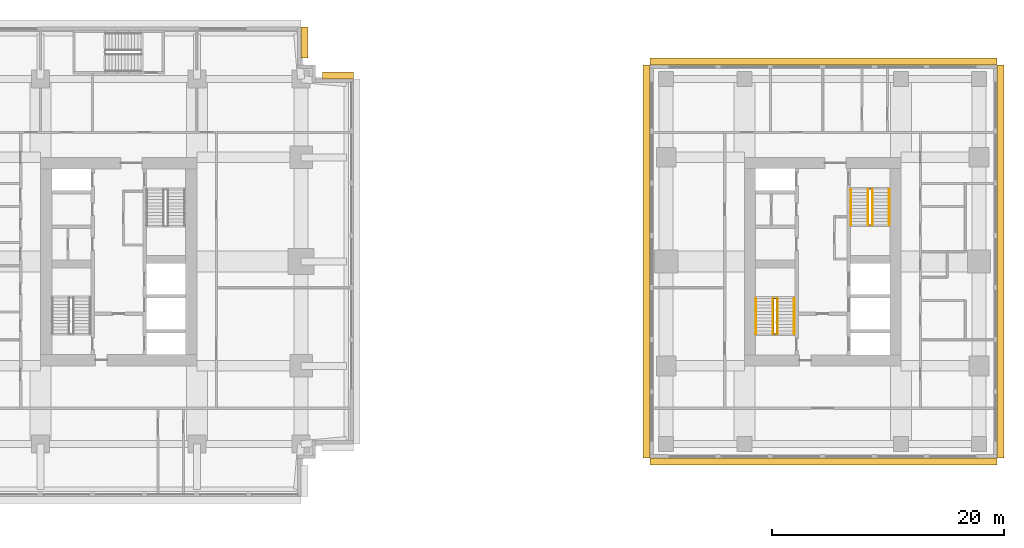
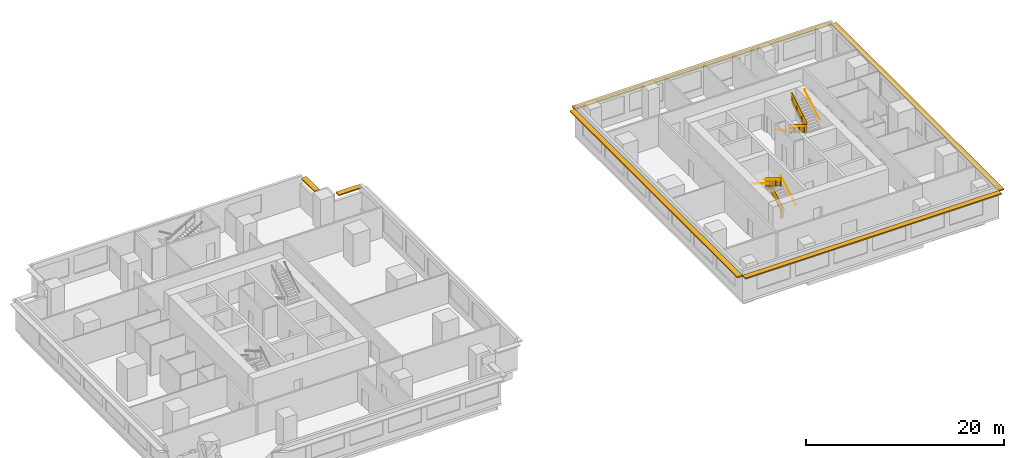
# One storey, part 11 of 11: 10 railings, 6 shading devices.
"""IFC4 building model written with IfcOpenShell, lengths in metres."""

from ifc_helpers import new_model, si_unit, direction, frame, origin, origin_2d, place, context, subcontext, project, spatial, polyline, rectangle, circle, outline, extrude, material, layer, layer_set, type_object, element, save


model = new_model("IFC4")

# Units and contexts
model_context = context("Model", 3, precision=1e-05, world=origin(), true_north=direction((0.0, 1.0)))
body_context = subcontext(model_context, "Body", "Model", "MODEL_VIEW")
ifc_project = project(units=[si_unit("LENGTHUNIT", "METRE"), si_unit("AREAUNIT", "SQUARE_METRE"), si_unit("VOLUMEUNIT", "CUBIC_METRE"), si_unit("PLANEANGLEUNIT", "RADIAN"), si_unit("MASSUNIT", "GRAM", prefix="KILO")], contexts=[model_context])

# Site, building, storey
site_placement = place(None, origin())
site = spatial("IfcSite", under=ifc_project, at=site_placement, CompositionType="ELEMENT")
building_placement = place(site_placement, origin())
building = spatial("IfcBuilding", under=site, at=building_placement, Name="Namib Vertical Campus", CompositionType="ELEMENT")
storey_placement = place(building_placement, frame((0.0, 0.0, 209.0)))
storey = spatial("IfcBuildingStorey", under=building, at=storey_placement, Name="L49", CompositionType="ELEMENT", Elevation=209.0)

# Railings
ifc_material_1 = material(Name="Steel handrail", Category="steel")
railing_type_1 = type_object("IfcRailingType", Name="Handrail 900", PredefinedType="HANDRAIL", material=ifc_material_1)
railing_1_placement = place(storey_placement, frame((78.550048828125, 14.0, 0.166748046875)))
element("IfcRailing", 1, at=railing_1_placement, inside=storey, type_object=railing_type_1, Name="Handrail HR1 B-S1 L49 1", PredefinedType="HANDRAIL", context=body_context, shape_type="SweptSolid", body=[
    extrude(circle(Radius=0.02392578125, at=origin_2d()), frame((0.0, 0.0, 0.8759765625), z_axis=(0.0, 0.859308565015, 0.511457515432), x_axis=(-1.0, 0.0, 0.0)), (0.0, 0.0, 1.0), 3.58447265625),
    extrude(circle(Radius=0.008056640625, at=origin_2d()), frame((0.0, 0.0, 0.8759765625), z_axis=(1.0, 0.0, 0.0), x_axis=(0.0, 0.0, 1.0)), (0.0, 0.0, 1.0), 0.050048828125),
    extrude(circle(Radius=0.008056640625, at=origin_2d()), frame((0.0, 1.026611328125, 1.48681640625), z_axis=(1.0, 0.0, 0.0), x_axis=(0.0, 0.0, 1.0)), (0.0, 0.0, 1.0), 0.050048828125),
    extrude(circle(Radius=0.008056640625, at=origin_2d()), frame((0.0, 2.053466796875, 2.09814453125), z_axis=(1.0, 0.0, 0.0), x_axis=(0.0, 0.0, 1.0)), (0.0, 0.0, 1.0), 0.050048828125),
    extrude(circle(Radius=0.008056640625, at=origin_2d()), frame((0.0, 3.080078125, 2.708984375), z_axis=(1.0, 0.0, 0.0), x_axis=(0.0, 0.0, 1.0)), (0.0, 0.0, 1.0), 0.050048828125),
])
railing_2_placement = place(storey_placement, frame((75.25, 17.080078125, 2.166748046875)))
element("IfcRailing", 2, at=railing_2_placement, inside=storey, type_object=railing_type_1, Name="Handrail HR1 B-S1 L49 2", PredefinedType="HANDRAIL", context=body_context, shape_type="SweptSolid", body=[
    extrude(circle(Radius=0.02392578125, at=origin_2d()), frame((0.0, 0.0, 0.8759765625), z_axis=(0.0, -0.859308565015, 0.511457515432), x_axis=(1.0, 0.0, 0.0)), (0.0, 0.0, 1.0), 3.58447265625),
    extrude(circle(Radius=0.008056640625, at=origin_2d()), frame((0.0, 0.0, 0.8759765625), z_axis=(-1.0, 0.0, 0.0), x_axis=(0.0, 0.0, 1.0)), (0.0, 0.0, 1.0), 0.050048828125),
    extrude(circle(Radius=0.008056640625, at=origin_2d()), frame((0.0, -1.026611328125, 1.48681640625), z_axis=(-1.0, 0.0, 0.0), x_axis=(0.0, 0.0, 1.0)), (0.0, 0.0, 1.0), 0.050048828125),
    extrude(circle(Radius=0.008056640625, at=origin_2d()), frame((0.0, -2.053466796875, 2.09814453125), z_axis=(-1.0, 0.0, 0.0), x_axis=(0.0, 0.0, 1.0)), (0.0, 0.0, 1.0), 0.050048828125),
    extrude(circle(Radius=0.008056640625, at=origin_2d()), frame((0.0, -3.080078125, 2.708984375), z_axis=(-1.0, 0.0, 0.0), x_axis=(0.0, 0.0, 1.0)), (0.0, 0.0, 1.0), 0.050048828125),
])
railing_3_placement = place(storey_placement, frame((77.10009765625, 14.0, 0.166748046875)))
element("IfcRailing", 3, at=railing_3_placement, inside=storey, type_object=railing_type_1, Name="Handrail HR1 B-S1 L49 1 at the well", PredefinedType="HANDRAIL", context=body_context, shape_type="SweptSolid", body=[
    extrude(circle(Radius=0.02392578125, at=origin_2d()), frame((0.0, 0.0, 0.8759765625), z_axis=(0.0, 0.859308565015, 0.511457515432), x_axis=(-1.0, 0.0, 0.0)), (0.0, 0.0, 1.0), 3.58447265625),
    extrude(circle(Radius=0.008056640625, at=origin_2d()), frame((0.0, 0.0, 0.8759765625), z_axis=(-1.0, 0.0, 0.0), x_axis=(0.0, 0.0, 1.0)), (0.0, 0.0, 1.0), 0.0400390625),
    extrude(circle(Radius=0.008056640625, at=origin_2d()), frame((0.0, 1.026611328125, 1.48681640625), z_axis=(-1.0, 0.0, 0.0), x_axis=(0.0, 0.0, 1.0)), (0.0, 0.0, 1.0), 0.0400390625),
    extrude(circle(Radius=0.008056640625, at=origin_2d()), frame((0.0, 2.053466796875, 2.09814453125), z_axis=(-1.0, 0.0, 0.0), x_axis=(0.0, 0.0, 1.0)), (0.0, 0.0, 1.0), 0.0400390625),
    extrude(circle(Radius=0.008056640625, at=origin_2d()), frame((0.0, 3.080078125, 2.708984375), z_axis=(-1.0, 0.0, 0.0), x_axis=(0.0, 0.0, 1.0)), (0.0, 0.0, 1.0), 0.0400390625),
])
railing_4_placement = place(storey_placement, frame((76.699951171875, 17.080078125, 2.166748046875)))
element("IfcRailing", 4, at=railing_4_placement, inside=storey, type_object=railing_type_1, Name="Handrail HR1 B-S1 L49 2 at the well", PredefinedType="HANDRAIL", context=body_context, shape_type="SweptSolid", body=[
    extrude(circle(Radius=0.02392578125, at=origin_2d()), frame((0.0, 0.0, 0.8759765625), z_axis=(0.0, -0.859308565015, 0.511457515432), x_axis=(1.0, 0.0, 0.0)), (0.0, 0.0, 1.0), 3.58447265625),
    extrude(circle(Radius=0.008056640625, at=origin_2d()), frame((0.0, 0.0, 0.8759765625), z_axis=(1.0, 0.0, 0.0), x_axis=(0.0, 0.0, 1.0)), (0.0, 0.0, 1.0), 0.0400390625),
    extrude(circle(Radius=0.008056640625, at=origin_2d()), frame((0.0, -1.026611328125, 1.48681640625), z_axis=(1.0, 0.0, 0.0), x_axis=(0.0, 0.0, 1.0)), (0.0, 0.0, 1.0), 0.0400390625),
    extrude(circle(Radius=0.008056640625, at=origin_2d()), frame((0.0, -2.053466796875, 2.09814453125), z_axis=(1.0, 0.0, 0.0), x_axis=(0.0, 0.0, 1.0)), (0.0, 0.0, 1.0), 0.0400390625),
    extrude(circle(Radius=0.008056640625, at=origin_2d()), frame((0.0, -3.080078125, 2.708984375), z_axis=(1.0, 0.0, 0.0), x_axis=(0.0, 0.0, 1.0)), (0.0, 0.0, 1.0), 0.0400390625),
])
railing_5_placement = place(storey_placement, frame((83.449951171875, 26.5, 0.166748046875)))
element("IfcRailing", 5, at=railing_5_placement, inside=storey, type_object=railing_type_1, Name="Handrail HR1 B-S2 L49 1", PredefinedType="HANDRAIL", context=body_context, shape_type="SweptSolid", body=[
    extrude(circle(Radius=0.02392578125, at=origin_2d()), frame((0.0, 0.0, 0.8759765625), z_axis=(0.0, -0.859308565015, 0.511457515432), x_axis=(1.0, 0.0, 0.0)), (0.0, 0.0, 1.0), 3.58447265625),
    extrude(circle(Radius=0.008056640625, at=origin_2d()), frame((0.0, 0.0, 0.8759765625), z_axis=(-1.0, 0.0, 0.0), x_axis=(0.0, 0.0, 1.0)), (0.0, 0.0, 1.0), 0.050048828125),
    extrude(circle(Radius=0.008056640625, at=origin_2d()), frame((0.0, -1.026611328125, 1.48681640625), z_axis=(-1.0, 0.0, 0.0), x_axis=(0.0, 0.0, 1.0)), (0.0, 0.0, 1.0), 0.050048828125),
    extrude(circle(Radius=0.008056640625, at=origin_2d()), frame((0.0, -2.053466796875, 2.09814453125), z_axis=(-1.0, 0.0, 0.0), x_axis=(0.0, 0.0, 1.0)), (0.0, 0.0, 1.0), 0.050048828125),
    extrude(circle(Radius=0.008056640625, at=origin_2d()), frame((0.0, -3.080078125, 2.708984375), z_axis=(-1.0, 0.0, 0.0), x_axis=(0.0, 0.0, 1.0)), (0.0, 0.0, 1.0), 0.050048828125),
])
railing_6_placement = place(storey_placement, frame((86.75, 23.419921875, 2.166748046875)))
element("IfcRailing", 6, at=railing_6_placement, inside=storey, type_object=railing_type_1, Name="Handrail HR1 B-S2 L49 2", PredefinedType="HANDRAIL", context=body_context, shape_type="SweptSolid", body=[
    extrude(circle(Radius=0.02392578125, at=origin_2d()), frame((0.0, 0.0, 0.8759765625), z_axis=(0.0, 0.859308565015, 0.511457515432), x_axis=(-1.0, 0.0, 0.0)), (0.0, 0.0, 1.0), 3.58447265625),
    extrude(circle(Radius=0.008056640625, at=origin_2d()), frame((0.0, 0.0, 0.8759765625), z_axis=(1.0, 0.0, 0.0), x_axis=(0.0, 0.0, 1.0)), (0.0, 0.0, 1.0), 0.050048828125),
    extrude(circle(Radius=0.008056640625, at=origin_2d()), frame((0.0, 1.026611328125, 1.48681640625), z_axis=(1.0, 0.0, 0.0), x_axis=(0.0, 0.0, 1.0)), (0.0, 0.0, 1.0), 0.050048828125),
    extrude(circle(Radius=0.008056640625, at=origin_2d()), frame((0.0, 2.053466796875, 2.09814453125), z_axis=(1.0, 0.0, 0.0), x_axis=(0.0, 0.0, 1.0)), (0.0, 0.0, 1.0), 0.050048828125),
    extrude(circle(Radius=0.008056640625, at=origin_2d()), frame((0.0, 3.080078125, 2.708984375), z_axis=(1.0, 0.0, 0.0), x_axis=(0.0, 0.0, 1.0)), (0.0, 0.0, 1.0), 0.050048828125),
])
railing_7_placement = place(storey_placement, frame((84.89990234375, 26.5, 0.166748046875)))
element("IfcRailing", 7, at=railing_7_placement, inside=storey, type_object=railing_type_1, Name="Handrail HR1 B-S2 L49 1 at the well", PredefinedType="HANDRAIL", context=body_context, shape_type="SweptSolid", body=[
    extrude(circle(Radius=0.02392578125, at=origin_2d()), frame((0.0, 0.0, 0.8759765625), z_axis=(0.0, -0.859308565015, 0.511457515432), x_axis=(1.0, 0.0, 0.0)), (0.0, 0.0, 1.0), 3.58447265625),
    extrude(circle(Radius=0.008056640625, at=origin_2d()), frame((0.0, 0.0, 0.8759765625), z_axis=(1.0, 0.0, 0.0), x_axis=(0.0, 0.0, 1.0)), (0.0, 0.0, 1.0), 0.0400390625),
    extrude(circle(Radius=0.008056640625, at=origin_2d()), frame((0.0, -1.026611328125, 1.48681640625), z_axis=(1.0, 0.0, 0.0), x_axis=(0.0, 0.0, 1.0)), (0.0, 0.0, 1.0), 0.0400390625),
    extrude(circle(Radius=0.008056640625, at=origin_2d()), frame((0.0, -2.053466796875, 2.09814453125), z_axis=(1.0, 0.0, 0.0), x_axis=(0.0, 0.0, 1.0)), (0.0, 0.0, 1.0), 0.0400390625),
    extrude(circle(Radius=0.008056640625, at=origin_2d()), frame((0.0, -3.080078125, 2.708984375), z_axis=(1.0, 0.0, 0.0), x_axis=(0.0, 0.0, 1.0)), (0.0, 0.0, 1.0), 0.0400390625),
])
railing_8_placement = place(storey_placement, frame((85.300048828125, 23.419921875, 2.166748046875)))
element("IfcRailing", 8, at=railing_8_placement, inside=storey, type_object=railing_type_1, Name="Handrail HR1 B-S2 L49 2 at the well", PredefinedType="HANDRAIL", context=body_context, shape_type="SweptSolid", body=[
    extrude(circle(Radius=0.02392578125, at=origin_2d()), frame((0.0, 0.0, 0.8759765625), z_axis=(0.0, 0.859308565015, 0.511457515432), x_axis=(-1.0, 0.0, 0.0)), (0.0, 0.0, 1.0), 3.58447265625),
    extrude(circle(Radius=0.008056640625, at=origin_2d()), frame((0.0, 0.0, 0.8759765625), z_axis=(-1.0, 0.0, 0.0), x_axis=(0.0, 0.0, 1.0)), (0.0, 0.0, 1.0), 0.0400390625),
    extrude(circle(Radius=0.008056640625, at=origin_2d()), frame((0.0, 1.026611328125, 1.48681640625), z_axis=(-1.0, 0.0, 0.0), x_axis=(0.0, 0.0, 1.0)), (0.0, 0.0, 1.0), 0.0400390625),
    extrude(circle(Radius=0.008056640625, at=origin_2d()), frame((0.0, 2.053466796875, 2.09814453125), z_axis=(-1.0, 0.0, 0.0), x_axis=(0.0, 0.0, 1.0)), (0.0, 0.0, 1.0), 0.0400390625),
    extrude(circle(Radius=0.008056640625, at=origin_2d()), frame((0.0, 3.080078125, 2.708984375), z_axis=(-1.0, 0.0, 0.0), x_axis=(0.0, 0.0, 1.0)), (0.0, 0.0, 1.0), 0.0400390625),
])
ifc_material_2 = material(Name="Steel balustrade", Category="steel")
railing_type_2 = type_object("IfcRailingType", Name="Stair guard 1100", PredefinedType="GUARDRAIL", material=ifc_material_2)
railing_9_placement = place(storey_placement, frame((76.75, 14.0, 0.0)))
element("IfcRailing", 9, at=railing_9_placement, inside=storey, type_object=railing_type_2, Name="Stair guard GR1 B-S1 L49", PredefinedType="GUARDRAIL", context=body_context, shape_type="SweptSolid", body=[
    extrude(circle(Radius=0.02392578125, at=origin_2d()), frame((0.0, 0.0, 1.076171875), z_axis=(1.0, 0.0, 0.0), x_axis=(0.0, 1.0, 0.0)), (0.0, 0.0, 1.0), 0.300048828125),
    extrude(outline(polyline([(0.02099609375, 0.050048828125), (0.279052734375, 0.050048828125), (0.279052734375, 1.052001953125), (0.02099609375, 1.052001953125), (0.02099609375, 0.050048828125)])), frame((0.0, 0.010009765625, 0.0), z_axis=(0.0, -1.0, 0.0), x_axis=(1.0, 0.0, 0.0)), (0.0, 0.0, 1.0), 0.02001953125),
    extrude(circle(Radius=0.02392578125, at=origin_2d()), frame((0.300048828125, 0.0, 1.076171875), z_axis=(0.0, 0.0, 1.0), x_axis=(1.0, 0.0, 0.0)), (0.0, 0.0, 1.0), 0.166748046875),
    extrude(circle(Radius=0.02392578125, at=origin_2d()), frame((0.300048828125, 0.0, 1.24267578125), z_axis=(0.0, 0.859308565015, 0.511457515432), x_axis=(-1.0, 0.0, 0.0)), (0.0, 0.0, 1.0), 3.58447265625),
    extrude(outline(polyline([(0.02099609375, 0.0625), (3.05908203125, 1.870849609375), (3.05908203125, 2.872802734375), (0.02099609375, 1.064453125), (0.02099609375, 0.0625)])), frame((0.2900390625, 0.0, 0.166748046875), z_axis=(1.0, 0.0, 0.0), x_axis=(0.0, 1.0, 0.0)), (0.0, 0.0, 1.0), 0.02001953125),
    extrude(circle(Radius=0.02392578125, at=origin_2d()), frame((0.300048828125, 3.080078125, 3.076171875), z_axis=(-1.0, 0.0, 0.0), x_axis=(0.0, -1.0, 0.0)), (0.0, 0.0, 1.0), 0.300048828125),
    extrude(outline(polyline([(0.02099609375, 0.050048828125), (0.279052734375, 0.050048828125), (0.279052734375, 1.052001953125), (0.02099609375, 1.052001953125), (0.02099609375, 0.050048828125)])), frame((0.300048828125, 3.070068359375, 2.0), z_axis=(0.0, 1.0, 0.0), x_axis=(-1.0, 0.0, 0.0)), (0.0, 0.0, 1.0), 0.02001953125),
    extrude(circle(Radius=0.02392578125, at=origin_2d()), frame((0.0, 3.080078125, 3.076171875), z_axis=(0.0, 0.0, 1.0), x_axis=(1.0, 0.0, 0.0)), (0.0, 0.0, 1.0), 0.166748046875),
    extrude(circle(Radius=0.02392578125, at=origin_2d()), frame((0.0, 3.080078125, 3.24267578125), z_axis=(0.0, -0.859308565015, 0.511457515432), x_axis=(1.0, 0.0, 0.0)), (0.0, 0.0, 1.0), 3.58447265625),
    extrude(outline(polyline([(0.02099609375, 0.0625), (3.05908203125, 1.870849609375), (3.05908203125, 2.872802734375), (0.02099609375, 1.064453125), (0.02099609375, 0.0625)])), frame((0.010009765625, 3.080078125, 2.166748046875), z_axis=(-1.0, 0.0, 0.0), x_axis=(0.0, -1.0, 0.0)), (0.0, 0.0, 1.0), 0.02001953125),
    extrude(circle(Radius=0.02392578125, at=origin_2d()), frame((0.0, 0.0, 5.076171875), z_axis=(0.0, -1.0, 0.0), x_axis=(1.0, 0.0, 0.0)), (0.0, 0.0, 1.0), 0.050048828125),
    extrude(outline(polyline([(0.02099609375, 0.050048828125), (0.029052734375, 0.050048828125), (0.029052734375, 1.052001953125), (0.02099609375, 1.052001953125), (0.02099609375, 0.050048828125)])), frame((0.010009765625, 0.0, 4.0), z_axis=(-1.0, 0.0, 0.0), x_axis=(0.0, -1.0, 0.0)), (0.0, 0.0, 1.0), 0.02001953125),
    extrude(circle(Radius=0.02099609375, at=origin_2d()), origin(), (0.0, 0.0, 1.0), 1.052001953125),
    extrude(circle(Radius=0.02099609375, at=origin_2d()), frame((0.300048828125, 0.0, 0.166748046875)), (0.0, 0.0, 1.0), 1.052001953125),
    extrude(circle(Radius=0.02099609375, at=origin_2d()), frame((0.300048828125, 1.026611328125, 0.666748046875)), (0.0, 0.0, 1.0), 1.1630859375),
    extrude(circle(Radius=0.02099609375, at=origin_2d()), frame((0.300048828125, 2.053466796875, 1.33349609375)), (0.0, 0.0, 1.0), 1.107421875),
    extrude(circle(Radius=0.02099609375, at=origin_2d()), frame((0.300048828125, 3.080078125, 2.0)), (0.0, 0.0, 1.0), 1.052001953125),
    extrude(circle(Radius=0.02099609375, at=origin_2d()), frame((0.0, 3.080078125, 2.166748046875)), (0.0, 0.0, 1.0), 1.052001953125),
    extrude(circle(Radius=0.02099609375, at=origin_2d()), frame((0.0, 2.053466796875, 2.666748046875)), (0.0, 0.0, 1.0), 1.1630859375),
    extrude(circle(Radius=0.02099609375, at=origin_2d()), frame((0.0, 1.026611328125, 3.33349609375)), (0.0, 0.0, 1.0), 1.107421875),
    extrude(circle(Radius=0.02099609375, at=origin_2d()), frame((0.0, 0.0, 4.0)), (0.0, 0.0, 1.0), 1.052001953125),
    extrude(circle(Radius=0.02099609375, at=origin_2d()), frame((0.0, -0.050048828125, 4.0)), (0.0, 0.0, 1.0), 1.052001953125),
])
railing_10_placement = place(storey_placement, frame((85.25, 26.5, 0.0)))
element("IfcRailing", 10, at=railing_10_placement, inside=storey, type_object=railing_type_2, Name="Stair guard GR1 B-S2 L49", PredefinedType="GUARDRAIL", context=body_context, shape_type="SweptSolid", body=[
    extrude(circle(Radius=0.02392578125, at=origin_2d()), frame((0.0, 0.0, 1.076171875), z_axis=(-1.0, 0.0, 0.0), x_axis=(0.0, -1.0, 0.0)), (0.0, 0.0, 1.0), 0.300048828125),
    extrude(outline(polyline([(0.02099609375, 0.050048828125), (0.279052734375, 0.050048828125), (0.279052734375, 1.052001953125), (0.02099609375, 1.052001953125), (0.02099609375, 0.050048828125)])), frame((0.0, -0.010009765625, 0.0), z_axis=(0.0, 1.0, 0.0), x_axis=(-1.0, 0.0, 0.0)), (0.0, 0.0, 1.0), 0.02001953125),
    extrude(circle(Radius=0.02392578125, at=origin_2d()), frame((-0.300048828125, 0.0, 1.076171875), z_axis=(0.0, 0.0, 1.0), x_axis=(1.0, 0.0, 0.0)), (0.0, 0.0, 1.0), 0.166748046875),
    extrude(circle(Radius=0.02392578125, at=origin_2d()), frame((-0.300048828125, 0.0, 1.24267578125), z_axis=(0.0, -0.859308565015, 0.511457515432), x_axis=(1.0, 0.0, 0.0)), (0.0, 0.0, 1.0), 3.58447265625),
    extrude(outline(polyline([(0.02099609375, 0.0625), (3.05908203125, 1.870849609375), (3.05908203125, 2.872802734375), (0.02099609375, 1.064453125), (0.02099609375, 0.0625)])), frame((-0.2900390625, 0.0, 0.166748046875), z_axis=(-1.0, 0.0, 0.0), x_axis=(0.0, -1.0, 0.0)), (0.0, 0.0, 1.0), 0.02001953125),
    extrude(circle(Radius=0.02392578125, at=origin_2d()), frame((-0.300048828125, -3.080078125, 3.076171875), z_axis=(1.0, 0.0, 0.0), x_axis=(0.0, 1.0, 0.0)), (0.0, 0.0, 1.0), 0.300048828125),
    extrude(outline(polyline([(0.02099609375, 0.050048828125), (0.279052734375, 0.050048828125), (0.279052734375, 1.052001953125), (0.02099609375, 1.052001953125), (0.02099609375, 0.050048828125)])), frame((-0.300048828125, -3.070068359375, 2.0), z_axis=(0.0, -1.0, 0.0), x_axis=(1.0, 0.0, 0.0)), (0.0, 0.0, 1.0), 0.02001953125),
    extrude(circle(Radius=0.02392578125, at=origin_2d()), frame((0.0, -3.080078125, 3.076171875), z_axis=(0.0, 0.0, 1.0), x_axis=(1.0, 0.0, 0.0)), (0.0, 0.0, 1.0), 0.166748046875),
    extrude(circle(Radius=0.02392578125, at=origin_2d()), frame((0.0, -3.080078125, 3.24267578125), z_axis=(0.0, 0.859308565015, 0.511457515432), x_axis=(-1.0, 0.0, 0.0)), (0.0, 0.0, 1.0), 3.58447265625),
    extrude(outline(polyline([(0.02099609375, 0.0625), (3.05908203125, 1.870849609375), (3.05908203125, 2.872802734375), (0.02099609375, 1.064453125), (0.02099609375, 0.0625)])), frame((-0.010009765625, -3.080078125, 2.166748046875), z_axis=(1.0, 0.0, 0.0), x_axis=(0.0, 1.0, 0.0)), (0.0, 0.0, 1.0), 0.02001953125),
    extrude(circle(Radius=0.02392578125, at=origin_2d()), frame((0.0, 0.0, 5.076171875), z_axis=(0.0, 1.0, 0.0), x_axis=(-1.0, 0.0, 0.0)), (0.0, 0.0, 1.0), 0.050048828125),
    extrude(outline(polyline([(0.02099609375, 0.050048828125), (0.029052734375, 0.050048828125), (0.029052734375, 1.052001953125), (0.02099609375, 1.052001953125), (0.02099609375, 0.050048828125)])), frame((-0.010009765625, 0.0, 4.0), z_axis=(1.0, 0.0, 0.0), x_axis=(0.0, 1.0, 0.0)), (0.0, 0.0, 1.0), 0.02001953125),
    extrude(circle(Radius=0.02099609375, at=origin_2d()), origin(), (0.0, 0.0, 1.0), 1.052001953125),
    extrude(circle(Radius=0.02099609375, at=origin_2d()), frame((-0.300048828125, 0.0, 0.166748046875)), (0.0, 0.0, 1.0), 1.052001953125),
    extrude(circle(Radius=0.02099609375, at=origin_2d()), frame((-0.300048828125, -1.026611328125, 0.666748046875)), (0.0, 0.0, 1.0), 1.1630859375),
    extrude(circle(Radius=0.02099609375, at=origin_2d()), frame((-0.300048828125, -2.053466796875, 1.33349609375)), (0.0, 0.0, 1.0), 1.107421875),
    extrude(circle(Radius=0.02099609375, at=origin_2d()), frame((-0.300048828125, -3.080078125, 2.0)), (0.0, 0.0, 1.0), 1.052001953125),
    extrude(circle(Radius=0.02099609375, at=origin_2d()), frame((0.0, -3.080078125, 2.166748046875)), (0.0, 0.0, 1.0), 1.052001953125),
    extrude(circle(Radius=0.02099609375, at=origin_2d()), frame((0.0, -2.053466796875, 2.666748046875)), (0.0, 0.0, 1.0), 1.1630859375),
    extrude(circle(Radius=0.02099609375, at=origin_2d()), frame((0.0, -1.026611328125, 3.33349609375)), (0.0, 0.0, 1.0), 1.107421875),
    extrude(circle(Radius=0.02099609375, at=origin_2d()), frame((0.0, 0.0, 4.0)), (0.0, 0.0, 1.0), 1.052001953125),
    extrude(circle(Radius=0.02099609375, at=origin_2d()), frame((0.0, 0.050048828125, 4.0)), (0.0, 0.0, 1.0), 1.052001953125),
])

# Shading devices
ifc_material_3 = material(Name="Concrete C40/50 precast", Category="concrete")
ifc_layer = layer(ifc_material_3, 0.14990234375)
ifc_layer_set = layer_set([ifc_layer], Name="Concrete C40/50 precast")
shading_device_type = type_object("IfcShadingDeviceType", Name="Sunshade hood 600", PredefinedType="SHUTTER", material=ifc_layer_set)
for number, where, z_axis, x_axis, name in (
    (11, (39.16259765625, 36.300048828125, 3.10009765625), (0.0, 0.0, 1.0), (-1.0, 0.0, 0.0), "Sunshade SH3 L49 7"),
    (12, (36.300048828125, 39.16259765625, 3.10009765625), (0.0, 0.0, 1.0), (0.0, 1.0, 0.0), "Sunshade SH3 L49 10"),
):
    element("IfcShadingDevice", number, at=place(storey_placement, frame(where, z_axis=z_axis, x_axis=x_axis)), inside=storey, type_object=shading_device_type, Name=name, PredefinedType="SHUTTER", context=body_context, shape_type="SweptSolid", body=[
        extrude(rectangle(XDim=2.675048828125, YDim=0.60009765625, at=origin_2d()), origin(), (0.0, 0.0, 1.0), 0.14990234375),
    ])
shading_device_1_placement = place(storey_placement, frame((81.074951171875, 3.0, 3.10009765625), z_axis=(0.0, 0.0, 1.0), x_axis=(1.0, 0.0, 0.0)))
element("IfcShadingDevice", 13, at=shading_device_1_placement, inside=storey, type_object=shading_device_type, Name="Sunshade SH3 L49 1", PredefinedType="SHUTTER", context=body_context, shape_type="SweptSolid", body=[
    extrude(rectangle(XDim=29.949951171875, YDim=0.60009765625, at=origin_2d()), origin(), (0.0, 0.0, 1.0), 0.14990234375),
])
shading_device_2_placement = place(storey_placement, frame((96.35009765625, 20.25, 3.10009765625), z_axis=(0.0, 0.0, 1.0), x_axis=(0.0, 1.0, 0.0)))
element("IfcShadingDevice", 14, at=shading_device_2_placement, inside=storey, type_object=shading_device_type, Name="Sunshade SH3 L49 2", PredefinedType="SHUTTER", context=body_context, shape_type="SweptSolid", body=[
    extrude(rectangle(XDim=33.89990234375, YDim=0.60009765625, at=origin_2d()), origin(), (0.0, 0.0, 1.0), 0.14990234375),
])
shading_device_3_placement = place(storey_placement, frame((81.074951171875, 37.5, 3.10009765625), z_axis=(0.0, 0.0, 1.0), x_axis=(-1.0, 0.0, 0.0)))
element("IfcShadingDevice", 15, at=shading_device_3_placement, inside=storey, type_object=shading_device_type, Name="Sunshade SH3 L49 3", PredefinedType="SHUTTER", context=body_context, shape_type="SweptSolid", body=[
    extrude(rectangle(XDim=29.949951171875, YDim=0.60009765625, at=origin_2d()), origin(), (0.0, 0.0, 1.0), 0.14990234375),
])
shading_device_4_placement = place(storey_placement, frame((65.800048828125, 20.25, 3.10009765625), z_axis=(0.0, 0.0, 1.0), x_axis=(0.0, -1.0, 0.0)))
element("IfcShadingDevice", 16, at=shading_device_4_placement, inside=storey, type_object=shading_device_type, Name="Sunshade SH3 L49 4", PredefinedType="SHUTTER", context=body_context, shape_type="SweptSolid", body=[
    extrude(rectangle(XDim=33.89990234375, YDim=0.60009765625, at=origin_2d()), origin(), (0.0, 0.0, 1.0), 0.14990234375),
])

save(model, "model.ifc")
